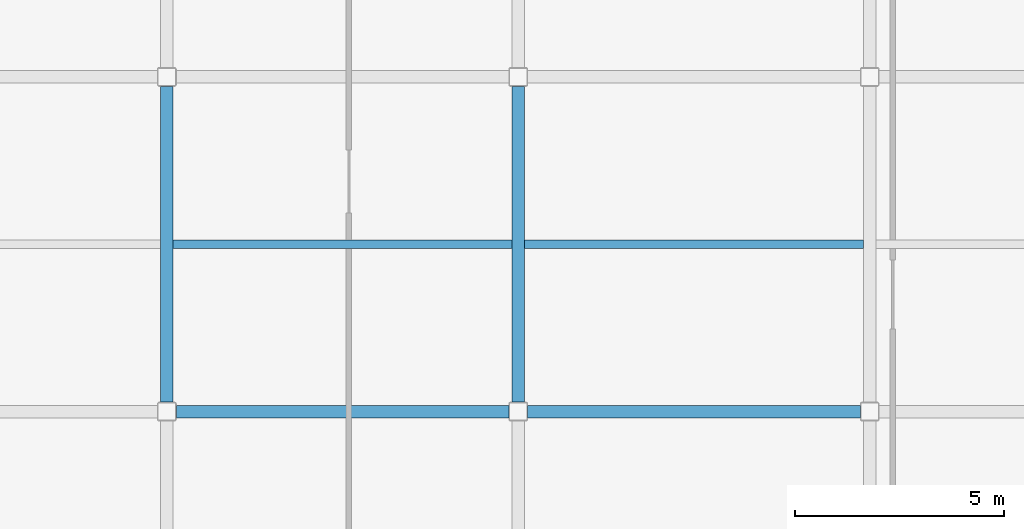
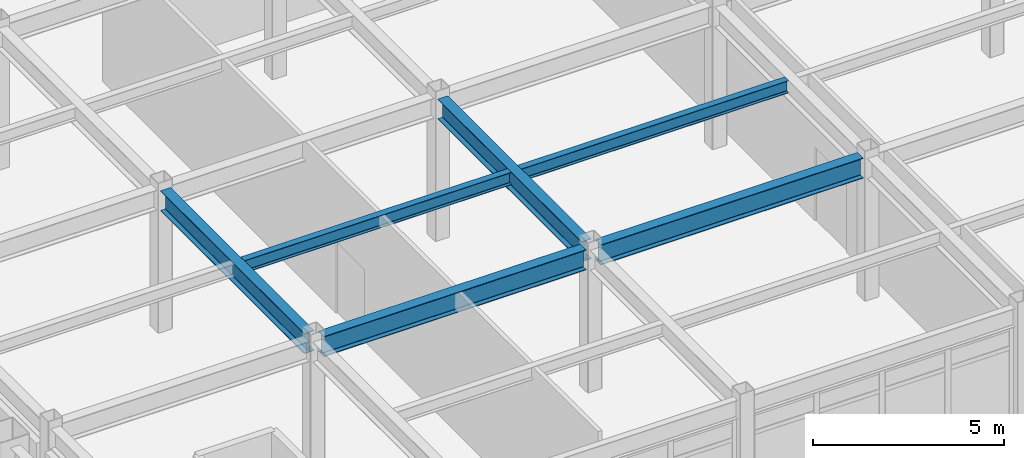
# One storey, part 79 of 172: 6 beams.
"""IFC4 building model written with IfcOpenShell, lengths in metres."""

from ifc_helpers import new_model, si_unit, direction, frame, origin, origin_2d, place, context, subcontext, project, spatial, i_section, extrude, material, material_profile, profile_set, type_object, element, save


model = new_model("IFC4")

# Units and contexts
model_context = context("Model", 3, precision=1e-05, world=origin(), true_north=direction((0.0, 1.0)))
body_context = subcontext(model_context, "Body", "Model", "MODEL_VIEW")
ifc_project = project(units=[si_unit("LENGTHUNIT", "METRE"), si_unit("AREAUNIT", "SQUARE_METRE"), si_unit("VOLUMEUNIT", "CUBIC_METRE"), si_unit("PLANEANGLEUNIT", "RADIAN"), si_unit("MASSUNIT", "GRAM", prefix="KILO")], contexts=[model_context])

# Site, building, storey
site_placement = place(None, origin())
site = spatial("IfcSite", under=ifc_project, at=site_placement, CompositionType="ELEMENT")
building_placement = place(site_placement, origin())
building = spatial("IfcBuilding", under=site, at=building_placement, Name="Kazehara Bluff Congress Hotel", CompositionType="ELEMENT")
storey_placement = place(building_placement, frame((0.0, 0.0, 5.39990234375)))
storey = spatial("IfcBuildingStorey", under=building, at=storey_placement, Name="L01", CompositionType="ELEMENT", Elevation=5.39990234375)

# Beams
ifc_material_1 = material(Name="Steel SN490B", Category="steel")
ifc_material_profile_1 = material_profile(ifc_material_1, i_section(OverallWidth=0.300048828125, OverallDepth=0.64990234375, WebThickness=0.011962890625, FlangeThickness=0.02001953125, FilletRadius=0.012939453125, at=origin_2d()))
ifc_profile_set_1 = profile_set([ifc_material_profile_1], Name="Steel SN490B")
beam_type_1 = type_object("IfcBeamType", Name="TP-G-03", PredefinedType="BEAM", material=ifc_profile_set_1)
for number, where, z_axis, x_axis, name in (
    (1, (67.64990234375, 89.125, 4.22509765625), (0.0, 1.0, 0.0), (-1.0, 0.0, 0.0), "L01 girder G-03 104"),
    (2, (76.050048828125, 89.125, 4.22509765625), (0.0, 1.0, 0.0), (-1.0, 0.0, 0.0), "L01 girder G-03 108"),
):
    element("IfcBeam", number, at=place(storey_placement, frame(where, z_axis=z_axis, x_axis=x_axis)), inside=storey, type_object=beam_type_1, Name=name, PredefinedType="BEAM", context=body_context, shape_type="SweptSolid", body=[
        extrude(i_section(OverallWidth=0.300048828125, OverallDepth=0.64990234375, WebThickness=0.011962890625, FlangeThickness=0.02001953125, FilletRadius=0.012939453125, at=origin_2d()), origin(), (0.0, 0.0, 1.0), 7.550048828125),
    ])
beam_1_placement = place(storey_placement, frame((67.875, 88.89990234375, 4.22509765625), z_axis=(1.0, 0.0, 0.0), x_axis=(0.0, 1.0, 0.0)))
element("IfcBeam", 3, at=beam_1_placement, inside=storey, type_object=beam_type_1, Name="L01 girder G-03 129", PredefinedType="BEAM", context=body_context, shape_type="SweptSolid", body=[
    extrude(i_section(OverallWidth=0.300048828125, OverallDepth=0.64990234375, WebThickness=0.011962890625, FlangeThickness=0.02001953125, FilletRadius=0.012939453125, at=origin_2d()), origin(), (0.0, 0.0, 1.0), 7.949951171875),
])
beam_2_placement = place(storey_placement, frame((76.27490234375, 88.89990234375, 4.22509765625), z_axis=(1.0, 0.0, 0.0), x_axis=(0.0, 1.0, 0.0)))
element("IfcBeam", 4, at=beam_2_placement, inside=storey, type_object=beam_type_1, Name="L01 girder G-03 130", PredefinedType="BEAM", context=body_context, shape_type="SweptSolid", body=[
    extrude(i_section(OverallWidth=0.300048828125, OverallDepth=0.64990234375, WebThickness=0.011962890625, FlangeThickness=0.02001953125, FilletRadius=0.012939453125, at=origin_2d()), origin(), (0.0, 0.0, 1.0), 7.9501953125),
])
ifc_material_2 = material(Name="Steel SN400B", Category="steel")
ifc_material_profile_2 = material_profile(ifc_material_2, i_section(OverallWidth=0.199951171875, OverallDepth=0.39990234375, WebThickness=0.008056640625, FlangeThickness=0.012939453125, FilletRadius=0.012939453125, at=origin_2d()))
ifc_profile_set_2 = profile_set([ifc_material_profile_2], Name="Steel SN400B")
beam_type_2 = type_object("IfcBeamType", Name="TP-J-03", PredefinedType="JOIST", material=ifc_profile_set_2)
beam_3_placement = place(storey_placement, frame((67.800048828125, 92.89990234375, 4.35009765625), z_axis=(1.0, 0.0, 0.0), x_axis=(0.0, 1.0, 0.0)))
element("IfcBeam", 5, at=beam_3_placement, inside=storey, type_object=beam_type_2, Name="L01 secondary joist J-03 18", PredefinedType="JOIST", context=body_context, shape_type="SweptSolid", body=[
    extrude(i_section(OverallWidth=0.199951171875, OverallDepth=0.39990234375, WebThickness=0.008056640625, FlangeThickness=0.012939453125, FilletRadius=0.012939453125, at=origin_2d()), origin(), (0.0, 0.0, 1.0), 8.099853515625),
])
beam_4_placement = place(storey_placement, frame((76.199951171875, 92.89990234375, 4.35009765625), z_axis=(1.0, 0.0, 0.0), x_axis=(0.0, 1.0, 0.0)))
element("IfcBeam", 6, at=beam_4_placement, inside=storey, type_object=beam_type_2, Name="L01 secondary joist J-03 22", PredefinedType="JOIST", context=body_context, shape_type="SweptSolid", body=[
    extrude(i_section(OverallWidth=0.199951171875, OverallDepth=0.39990234375, WebThickness=0.008056640625, FlangeThickness=0.012939453125, FilletRadius=0.012939453125, at=origin_2d()), origin(), (0.0, 0.0, 1.0), 8.10009765625),
])

save(model, "model.ifc")
